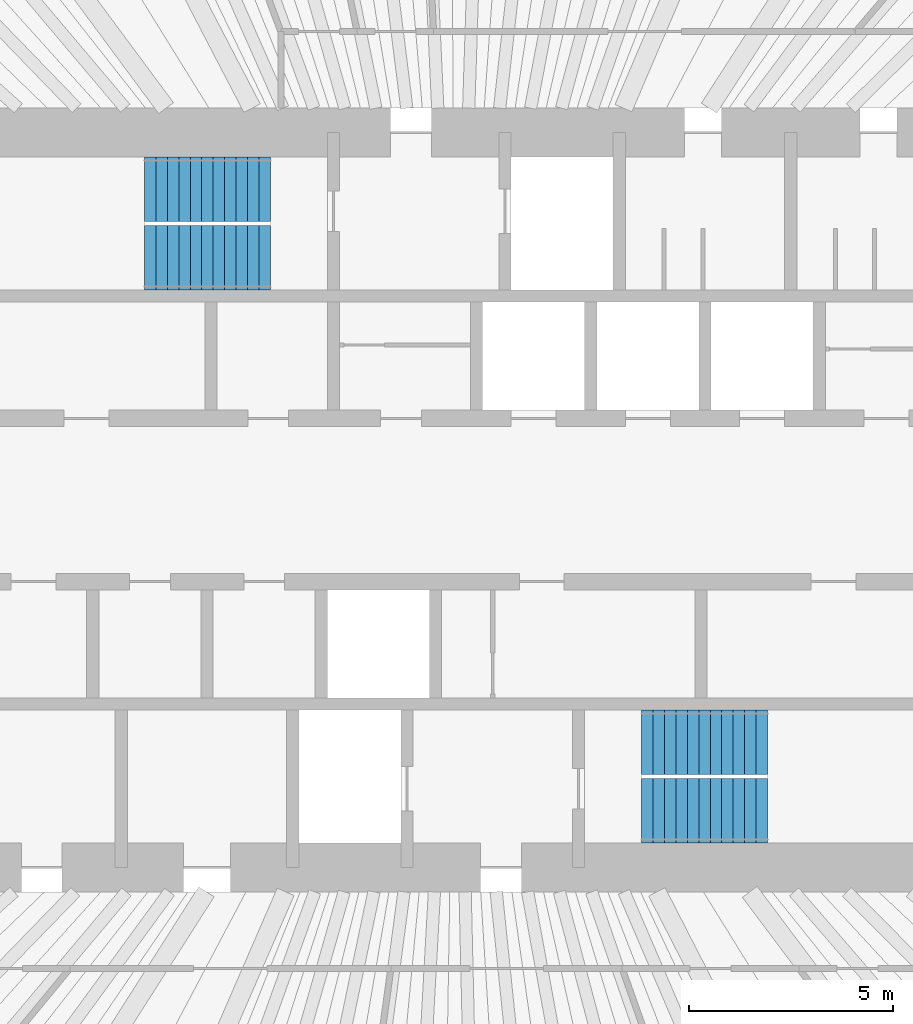
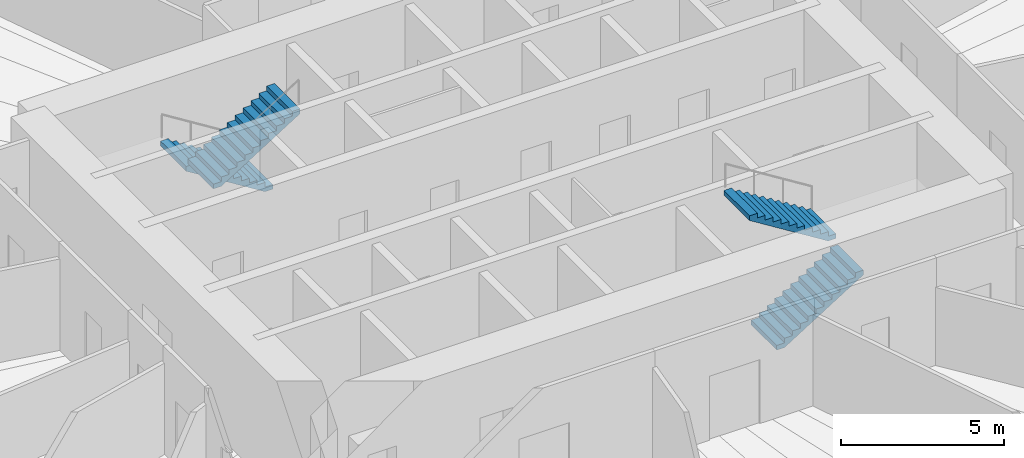
# One storey, part 13 of 14: 4 stair flights, 2 elements without a shape of their own.
"""IFC4 building model written with IfcOpenShell, lengths in metres."""

from ifc_helpers import new_model, si_unit, direction, frame, origin, place, context, subcontext, project, spatial, polyline, outline, extrude, material, type_object, element, aggregate, save


model = new_model("IFC4")

# Units and contexts
model_context = context("Model", 3, precision=1e-05, world=origin(), true_north=direction((0.0, 1.0)))
body_context = subcontext(model_context, "Body", "Model", "MODEL_VIEW")
ifc_project = project(units=[si_unit("LENGTHUNIT", "METRE"), si_unit("AREAUNIT", "SQUARE_METRE"), si_unit("VOLUMEUNIT", "CUBIC_METRE"), si_unit("PLANEANGLEUNIT", "RADIAN"), si_unit("MASSUNIT", "GRAM", prefix="KILO")], contexts=[model_context])

# Site, building, storey
site_placement = place(None, origin())
site = spatial("IfcSite", under=ifc_project, at=site_placement, CompositionType="ELEMENT")
building_placement = place(site_placement, origin())
building = spatial("IfcBuilding", under=site, at=building_placement, Name="Qingtian Harvest Tower", CompositionType="ELEMENT")
storey_placement = place(building_placement, frame((0.0, 0.0, 243.39990234375)))
storey = spatial("IfcBuildingStorey", under=building, at=storey_placement, Name="L53", CompositionType="ELEMENT", Elevation=243.39990234375)

# Stair, stair flights
ifc_material_1 = material(Name="Concrete fc' 35 MPa", Category="concrete")
stair_type = type_object("IfcStairType", Name="Special stair ST4 4200", PredefinedType="HALF_TURN_STAIR", material=ifc_material_1)
stair_1_placement = place(storey_placement, origin())
stair_1 = element("IfcStair", 1, at=stair_1_placement, inside=storey, type_object=stair_type, Name="Special stair S1 L53", PredefinedType="HALF_TURN_STAIR")
ifc_material_2 = material(Name="Concrete fc' 35 MPa", Category="concrete")
stair_flight_type = type_object("IfcStairFlightType", Name="Stair flight SF4 4200", PredefinedType="STRAIGHT", material=ifc_material_2)
stair_flight_1_placement = place(storey_placement, frame((-4.550048828125, 7.612548828125, 0.0), z_axis=(0.0, 0.0, 1.0), x_axis=(-1.0, 0.0, 0.0)))
stair_flight_1 = element("IfcStairFlight", 2, at=stair_flight_1_placement, type_object=stair_flight_type, Name="S1 flight 1", NumberOfRisers=12, NumberOfTreads=11, PredefinedType="STRAIGHT", RiserHeight=0.175, TreadLength=0.28, context=body_context, shape_type="SweptSolid", body=[
    extrude(outline(polyline([(0.0, 0.0), (0.0, 0.175048828125), (0.280029296875, 0.175048828125), (0.280029296875, 0.35009765625), (0.56005859375, 0.35009765625), (0.56005859375, 0.52490234375), (0.840087890625, 0.52490234375), (0.840087890625, 0.699951171875), (1.1201171875, 0.699951171875), (1.1201171875, 0.875), (1.39990234375, 0.875), (1.39990234375, 1.050048828125), (1.679931640625, 1.050048828125), (1.679931640625, 1.22509765625), (1.9599609375, 1.22509765625), (1.9599609375, 1.39990234375), (2.239990234375, 1.39990234375), (2.239990234375, 1.574951171875), (2.52001953125, 1.574951171875), (2.52001953125, 1.75), (2.800048828125, 1.75), (2.800048828125, 1.925048828125), (3.080078125, 1.925048828125), (3.080078125, 2.10009765625), (3.080078125, 1.748291015625), (0.28271484375, 0.0), (0.0, 0.0)])), frame((0.0, 0.78759765625, 0.0), z_axis=(0.0, -1.0, 0.0), x_axis=(1.0, 0.0, 0.0)), (0.0, 0.0, 1.0), 1.574951171875),
])
stair_flight_2_placement = place(storey_placement, frame((-7.6298828125, 5.9375, 2.10009765625), z_axis=(0.0, 0.0, 1.0), x_axis=(1.0, 0.0, 0.0)))
stair_flight_2 = element("IfcStairFlight", 3, at=stair_flight_2_placement, type_object=stair_flight_type, Name="S1 flight 2", NumberOfRisers=12, NumberOfTreads=11, PredefinedType="STRAIGHT", RiserHeight=0.175, TreadLength=0.28, context=body_context, shape_type="SweptSolid", body=[
    extrude(outline(polyline([(0.0, 0.0), (0.0, 0.175048828125), (0.280029296875, 0.175048828125), (0.280029296875, 0.35009765625), (0.56005859375, 0.35009765625), (0.56005859375, 0.52490234375), (0.840087890625, 0.52490234375), (0.840087890625, 0.699951171875), (1.1201171875, 0.699951171875), (1.1201171875, 0.875), (1.39990234375, 0.875), (1.39990234375, 1.050048828125), (1.679931640625, 1.050048828125), (1.679931640625, 1.22509765625), (1.9599609375, 1.22509765625), (1.9599609375, 1.39990234375), (2.239990234375, 1.39990234375), (2.239990234375, 1.574951171875), (2.52001953125, 1.574951171875), (2.52001953125, 1.75), (2.800048828125, 1.75), (2.800048828125, 1.925048828125), (3.080078125, 1.925048828125), (3.080078125, 2.10009765625), (3.080078125, 1.748291015625), (0.28271484375, 0.0), (0.0, 0.0)])), frame((0.0, 0.78759765625, 0.0), z_axis=(0.0, -1.0, 0.0), x_axis=(1.0, 0.0, 0.0)), (0.0, 0.0, 1.0), 1.574951171875),
])
aggregate(stair_1, [stair_flight_1, stair_flight_2])

stair_2_placement = place(storey_placement, origin())
stair_2 = element("IfcStair", 4, at=stair_2_placement, inside=storey, type_object=stair_type, Name="Special stair S2 L53", PredefinedType="HALF_TURN_STAIR")
stair_flight_3_placement = place(storey_placement, frame((4.550048828125, -7.612548828125, 0.0), z_axis=(0.0, 0.0, 1.0), x_axis=(1.0, 0.0, 0.0)))
stair_flight_3 = element("IfcStairFlight", 5, at=stair_flight_3_placement, type_object=stair_flight_type, Name="S2 flight 1", NumberOfRisers=12, NumberOfTreads=11, PredefinedType="STRAIGHT", RiserHeight=0.175, TreadLength=0.28, context=body_context, shape_type="SweptSolid", body=[
    extrude(outline(polyline([(0.0, 0.0), (0.0, 0.175048828125), (0.280029296875, 0.175048828125), (0.280029296875, 0.35009765625), (0.56005859375, 0.35009765625), (0.56005859375, 0.52490234375), (0.840087890625, 0.52490234375), (0.840087890625, 0.699951171875), (1.1201171875, 0.699951171875), (1.1201171875, 0.875), (1.39990234375, 0.875), (1.39990234375, 1.050048828125), (1.679931640625, 1.050048828125), (1.679931640625, 1.22509765625), (1.9599609375, 1.22509765625), (1.9599609375, 1.39990234375), (2.239990234375, 1.39990234375), (2.239990234375, 1.574951171875), (2.52001953125, 1.574951171875), (2.52001953125, 1.75), (2.800048828125, 1.75), (2.800048828125, 1.925048828125), (3.080078125, 1.925048828125), (3.080078125, 2.10009765625), (3.080078125, 1.748291015625), (0.28271484375, 0.0), (0.0, 0.0)])), frame((0.0, 0.78759765625, 0.0), z_axis=(0.0, -1.0, 0.0), x_axis=(1.0, 0.0, 0.0)), (0.0, 0.0, 1.0), 1.574951171875),
])
stair_flight_4_placement = place(storey_placement, frame((7.6298828125, -5.9375, 2.10009765625), z_axis=(0.0, 0.0, 1.0), x_axis=(-1.0, 0.0, 0.0)))
stair_flight_4 = element("IfcStairFlight", 6, at=stair_flight_4_placement, type_object=stair_flight_type, Name="S2 flight 2", NumberOfRisers=12, NumberOfTreads=11, PredefinedType="STRAIGHT", RiserHeight=0.175, TreadLength=0.28, context=body_context, shape_type="SweptSolid", body=[
    extrude(outline(polyline([(0.0, 0.0), (0.0, 0.175048828125), (0.280029296875, 0.175048828125), (0.280029296875, 0.35009765625), (0.56005859375, 0.35009765625), (0.56005859375, 0.52490234375), (0.840087890625, 0.52490234375), (0.840087890625, 0.699951171875), (1.1201171875, 0.699951171875), (1.1201171875, 0.875), (1.39990234375, 0.875), (1.39990234375, 1.050048828125), (1.679931640625, 1.050048828125), (1.679931640625, 1.22509765625), (1.9599609375, 1.22509765625), (1.9599609375, 1.39990234375), (2.239990234375, 1.39990234375), (2.239990234375, 1.574951171875), (2.52001953125, 1.574951171875), (2.52001953125, 1.75), (2.800048828125, 1.75), (2.800048828125, 1.925048828125), (3.080078125, 1.925048828125), (3.080078125, 2.10009765625), (3.080078125, 1.748291015625), (0.28271484375, 0.0), (0.0, 0.0)])), frame((0.0, 0.78759765625, 0.0), z_axis=(0.0, -1.0, 0.0), x_axis=(1.0, 0.0, 0.0)), (0.0, 0.0, 1.0), 1.574951171875),
])
aggregate(stair_2, [stair_flight_3, stair_flight_4])

save(model, "model.ifc")
